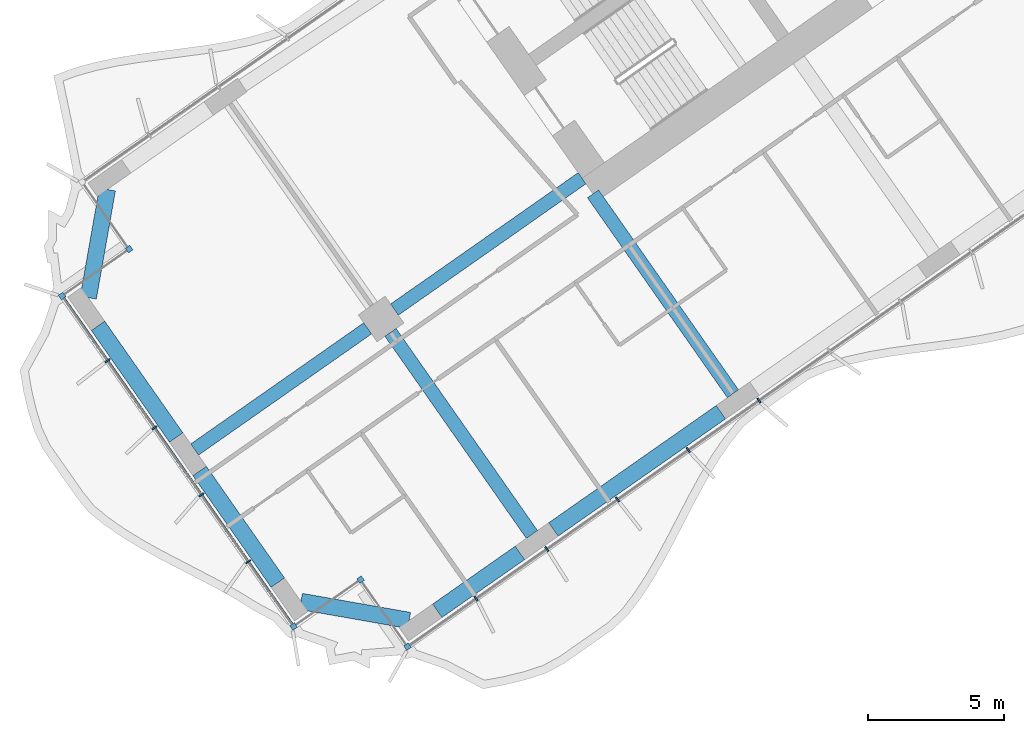
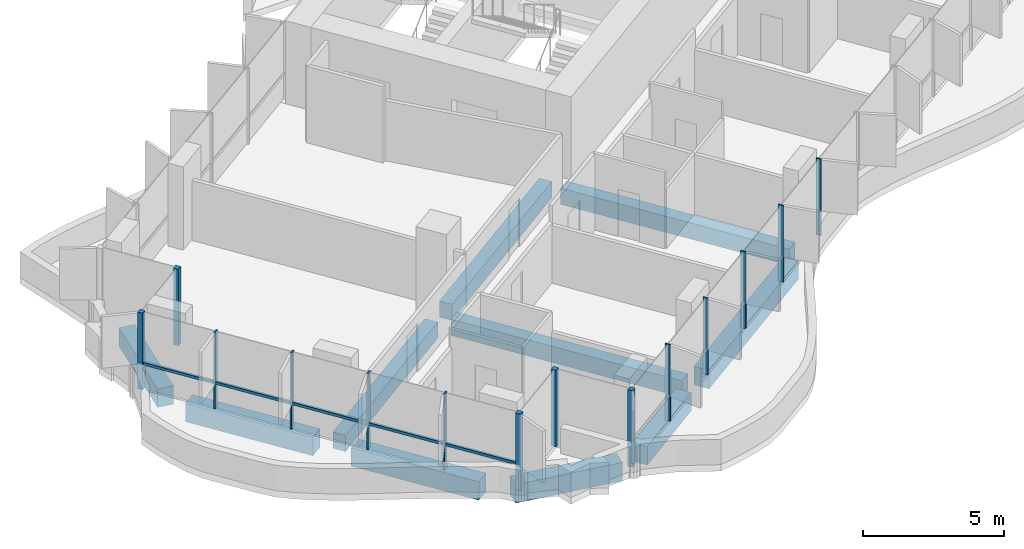
# One storey, part 2 of 23: 15 members, 10 beams, 1 element without a shape of its own.
"""IFC4 building model written with IfcOpenShell, lengths in metres."""

from ifc_helpers import new_model, si_unit, direction, frame, origin, origin_2d, place, context, subcontext, project, spatial, rectangle, extrude, material, material_profile, profile_set, type_object, element, aggregate, save


model = new_model("IFC4")

# Units and contexts
model_context = context("Model", 3, precision=1e-05, world=origin(), true_north=direction((0.0, 1.0)))
body_context = subcontext(model_context, "Body", "Model", "MODEL_VIEW")
ifc_project = project(units=[si_unit("LENGTHUNIT", "METRE"), si_unit("AREAUNIT", "SQUARE_METRE"), si_unit("VOLUMEUNIT", "CUBIC_METRE"), si_unit("PLANEANGLEUNIT", "RADIAN"), si_unit("MASSUNIT", "GRAM", prefix="KILO")], contexts=[model_context])

# Site, building, storey
site_placement = place(None, origin())
site = spatial("IfcSite", under=ifc_project, at=site_placement, CompositionType="ELEMENT")
building_placement = place(site_placement, origin())
building = spatial("IfcBuilding", under=site, at=building_placement, Name="Tel Ilan Convention Tower", CompositionType="ELEMENT")
storey_placement = place(building_placement, frame((0.0, 0.0, 119.300048828125)))
storey = spatial("IfcBuildingStorey", under=building, at=storey_placement, Name="L26", CompositionType="ELEMENT", Elevation=119.300048828125)

# Beams
ifc_material_1 = material(Name="Concrete C40/50", Category="concrete")
ifc_material_profile_1 = material_profile(ifc_material_1, rectangle(XDim=0.5, YDim=0.699951171875, at=origin_2d()), Name="RC 500x700")
ifc_profile_set_1 = profile_set([ifc_material_profile_1], Name="Concrete C40/50")
beam_type_1 = type_object("IfcBeamType", Name="Beam RC 500x700 Concrete C40/50", PredefinedType="BEAM", material=ifc_profile_set_1)
beam_1_placement = place(storey_placement, frame((-16.58203125, -23.391357421875, -0.630126953125), z_axis=(-0.573584999642, 0.819146048141, 0.0), x_axis=(-0.819146048141, -0.573584999642, 0.0)))
element("IfcBeam", 1, at=beam_1_placement, inside=storey, type_object=beam_type_1, Name="L26 beam W-W-F3-core", PredefinedType="BEAM", context=body_context, shape_type="SweptSolid", body=[
    extrude(rectangle(XDim=0.5, YDim=0.699951171875, at=origin_2d()), origin(), (0.0, 0.0, 1.0), 8.949951171875),
])
beam_2_placement = place(storey_placement, frame((-22.1171875, -15.486572265625, -0.630126953125), z_axis=(-0.819147254605, -0.573583276668, 0.0), x_axis=(0.573583276668, -0.819147254605, 0.0)))
element("IfcBeam", 2, at=beam_2_placement, inside=storey, type_object=beam_type_1, Name="L26 beam W-core-W-M4", PredefinedType="BEAM", context=body_context, shape_type="SweptSolid", body=[
    extrude(rectangle(XDim=0.5, YDim=0.699951171875, at=origin_2d()), origin(), (0.0, 0.0, 1.0), 8.400146484375),
])
beam_3_placement = place(storey_placement, frame((-29.98095703125, -20.992919921875, -0.630126953125), z_axis=(-0.819159394801, -0.573565938589, 0.0), x_axis=(0.573565938589, -0.819159394801, 0.0)))
element("IfcBeam", 3, at=beam_3_placement, inside=storey, type_object=beam_type_1, Name="L26 beam W-W-M4-end", PredefinedType="BEAM", context=body_context, shape_type="SweptSolid", body=[
    extrude(rectangle(XDim=0.5, YDim=0.699951171875, at=origin_2d()), origin(), (0.0, 0.0, 1.0), 7.75),
])
beam_4_placement = place(storey_placement, frame((-29.145263671875, -21.14013671875, -0.630126953125), z_axis=(0.573549245583, -0.819171082798, 0.0), x_axis=(0.819171082798, 0.573549245583, 0.0)))
element("IfcBeam", 4, at=beam_4_placement, inside=storey, type_object=beam_type_1, Name="L26 beam W-W-M4-W-F4", PredefinedType="BEAM", context=body_context, shape_type="SweptSolid", body=[
    extrude(rectangle(XDim=0.5, YDim=0.699951171875, at=origin_2d()), origin(), (0.0, 0.0, 1.0), 9.050048828125),
])
ifc_material_2 = material(Name="Concrete C40/50", Category="concrete")
ifc_material_profile_2 = material_profile(ifc_material_2, rectangle(XDim=0.60009765625, YDim=0.800048828125, at=origin_2d()), Name="RC 600x800")
ifc_profile_set_2 = profile_set([ifc_material_profile_2], Name="Concrete C40/50")
beam_type_2 = type_object("IfcBeamType", Name="Beam RC 600x800 Concrete C40/50", PredefinedType="BEAM", material=ifc_profile_set_2)
beam_5_placement = place(storey_placement, frame((-17.0244140625, -24.0673828125, -0.679931640625), z_axis=(-0.81915238829, -0.573575945067, 0.0), x_axis=(0.573575945067, -0.81915238829, 0.0)))
element("IfcBeam", 5, at=beam_5_placement, inside=storey, type_object=beam_type_2, Name="L26 beam W-W-F3-W-F4", PredefinedType="BEAM", context=body_context, shape_type="SweptSolid", body=[
    extrude(rectangle(XDim=0.60009765625, YDim=0.800048828125, at=origin_2d()), origin(), (0.0, 0.0, 1.0), 7.5),
])
beam_6_placement = place(storey_placement, frame((-24.396728515625, -29.2294921875, -0.679931640625), z_axis=(-0.819132709951, -0.573604047656, 0.0), x_axis=(0.573604047656, -0.819132709951, 0.0)))
element("IfcBeam", 6, at=beam_6_placement, inside=storey, type_object=beam_type_2, Name="L26 beam W-W-F4-W-FC", PredefinedType="BEAM", context=body_context, shape_type="SweptSolid", body=[
    extrude(rectangle(XDim=0.60009765625, YDim=0.800048828125, at=origin_2d()), origin(), (0.0, 0.0, 1.0), 3.699951171875),
])
beam_7_placement = place(storey_placement, frame((-28.459716796875, -31.708251953125, -0.679931640625), z_axis=(-0.984806721117, 0.173654029734, 0.0), x_axis=(-0.173654029734, -0.984806721117, 0.0)))
element("IfcBeam", 7, at=beam_7_placement, inside=storey, type_object=beam_type_2, Name="L26 beam W-W-FC-W-E1", PredefinedType="BEAM", context=body_context, shape_type="SweptSolid", body=[
    extrude(rectangle(XDim=0.60009765625, YDim=0.800048828125, at=origin_2d()), origin(), (0.0, 0.0, 1.0), 4.03076171875),
])
for number, where, z_axis, x_axis, name in (
    (8, (-33.277099609375, -30.3203125, -0.679931640625), (-0.573586866468, 0.819144740944, 0.0), (-0.819144740944, -0.573586866468, 0.0), "L26 beam W-W-E1-W-E2"),
    (9, (-37.00537109375, -24.995849609375, -0.679931640625), (-0.573586866468, 0.819144740944, 0.0), (-0.819144740944, -0.573586866468, 0.0), "L26 beam W-W-E2-W-E3"),
):
    element("IfcBeam", number, at=place(storey_placement, frame(where, z_axis=z_axis, x_axis=x_axis)), inside=storey, type_object=beam_type_2, Name=name, PredefinedType="BEAM", context=body_context, shape_type="SweptSolid", body=[
        extrude(rectangle(XDim=0.60009765625, YDim=0.800048828125, at=origin_2d()), origin(), (0.0, 0.0, 1.0), 5.0),
    ])
beam_8_placement = place(storey_placement, frame((-40.229736328125, -19.867919921875, -0.679931640625), z_axis=(0.173664388751, 0.984804894423, 0.0), x_axis=(-0.984804894423, 0.173664388751, 0.0)))
element("IfcBeam", 10, at=beam_8_placement, inside=storey, type_object=beam_type_2, Name="L26 beam W-W-E3-W-BC", PredefinedType="BEAM", context=body_context, shape_type="SweptSolid", body=[
    extrude(rectangle(XDim=0.60009765625, YDim=0.800048828125, at=origin_2d()), origin(), (0.0, 0.0, 1.0), 4.030517578125),
])

# Curtain wall, members
ifc_material_3 = material(Name="Aluminium, bronze anodised", Category="aluminium")
curtain_wall_type = type_object("IfcCurtainWallType", Name="CW1 UNITISED CURTAIN WALL, HOTEL TINTED GLASS", PredefinedType="NOTDEFINED", material=ifc_material_3)
curtain_wall_placement = place(storey_placement, origin())
curtain_wall = element("IfcCurtainWall", 11, at=curtain_wall_placement, inside=storey, type_object=curtain_wall_type, Name="Curtain wall CW1-20.02", PredefinedType="NOTDEFINED")
ifc_material_4 = material(Name="Aluminium, bronze anodised", Category="aluminium")
ifc_material_profile_3 = material_profile(ifc_material_4, rectangle(XDim=0.199951171875, YDim=0.199951171875, at=origin_2d()), Name="CW CORNER MULLION 200x200")
ifc_profile_set_3 = profile_set([ifc_material_profile_3], Name="Aluminium, bronze anodised")
member_type_1 = type_object("IfcMemberType", Name="CW CORNER MULLION 200x200", PredefinedType="MULLION", material=ifc_profile_set_3)
member_1_placement = place(storey_placement, frame((-38.730712890625, -18.0859375, 0.0), z_axis=(0.0, 0.0, 1.0), x_axis=(0.573576436351, -0.819152044289, 0.0)))
member_1 = element("IfcMember", 12, at=member_1_placement, type_object=member_type_1, Name="Corner mullion", PredefinedType="MULLION", context=body_context, shape_type="SweptSolid", body=[
    extrude(rectangle(XDim=0.199951171875, YDim=0.199951171875, at=origin_2d()), origin(), (0.0, 0.0, 1.0), 3.320068359375),
])
member_2_placement = place(storey_placement, frame((-41.188232421875, -19.806640625, 0.0), z_axis=(0.0, 0.0, 1.0), x_axis=(-0.819152044289, -0.573576436351, 0.0)))
member_2 = element("IfcMember", 13, at=member_2_placement, type_object=member_type_1, Name="Corner mullion", PredefinedType="MULLION", context=body_context, shape_type="SweptSolid", body=[
    extrude(rectangle(XDim=0.199951171875, YDim=0.199951171875, at=origin_2d()), origin(), (0.0, 0.0, 1.0), 3.320068359375),
])
member_3_placement = place(storey_placement, frame((-32.69921875, -31.929931640625, 0.0), z_axis=(0.0, 0.0, 1.0), x_axis=(0.573576436351, -0.819152044289, 0.0)))
member_3 = element("IfcMember", 14, at=member_3_placement, type_object=member_type_1, Name="Corner mullion", PredefinedType="MULLION", context=body_context, shape_type="SweptSolid", body=[
    extrude(rectangle(XDim=0.199951171875, YDim=0.199951171875, at=origin_2d()), origin(), (0.0, 0.0, 1.0), 3.320068359375),
])
member_4_placement = place(storey_placement, frame((-30.241943359375, -30.209228515625, 0.0), z_axis=(0.0, 0.0, 1.0), x_axis=(0.819152044289, 0.573576436351, 0.0)))
member_4 = element("IfcMember", 15, at=member_4_placement, type_object=member_type_1, Name="Corner mullion", PredefinedType="MULLION", context=body_context, shape_type="SweptSolid", body=[
    extrude(rectangle(XDim=0.199951171875, YDim=0.199951171875, at=origin_2d()), origin(), (0.0, 0.0, 1.0), 3.320068359375),
])
member_5_placement = place(storey_placement, frame((-28.52099609375, -32.666748046875, 0.0), z_axis=(0.0, 0.0, 1.0), x_axis=(0.573576436351, -0.819152044289, 0.0)))
member_5 = element("IfcMember", 16, at=member_5_placement, type_object=member_type_1, Name="Corner mullion", PredefinedType="MULLION", context=body_context, shape_type="SweptSolid", body=[
    extrude(rectangle(XDim=0.199951171875, YDim=0.199951171875, at=origin_2d()), origin(), (0.0, 0.0, 1.0), 3.320068359375),
])
ifc_material_5 = material(Name="Aluminium, bronze anodised", Category="aluminium")
ifc_material_profile_4 = material_profile(ifc_material_5, rectangle(XDim=0.06005859375, YDim=0.199951171875, at=origin_2d()), Name="CW MULLION 60x200")
ifc_profile_set_4 = profile_set([ifc_material_profile_4], Name="Aluminium, bronze anodised")
member_type_2 = type_object("IfcMemberType", Name="CW MULLION 60x200", PredefinedType="MULLION", material=ifc_profile_set_4)
member_6_placement = place(storey_placement, frame((-39.52490234375, -22.18212890625, 0.0), z_axis=(0.0, 0.0, 1.0), x_axis=(0.573576436351, -0.819152044289, 0.0)))
member_6 = element("IfcMember", 17, at=member_6_placement, type_object=member_type_2, Name="Mullion", PredefinedType="MULLION", context=body_context, shape_type="SweptSolid", body=[
    extrude(rectangle(XDim=0.06005859375, YDim=0.199951171875, at=origin_2d()), origin(), (0.0, 0.0, 1.0), 3.320068359375),
])
member_7_placement = place(storey_placement, frame((-37.80419921875, -24.6396484375, 0.0), z_axis=(0.0, 0.0, 1.0), x_axis=(0.573576436351, -0.819152044289, 0.0)))
member_7 = element("IfcMember", 18, at=member_7_placement, type_object=member_type_2, Name="Mullion", PredefinedType="MULLION", context=body_context, shape_type="SweptSolid", body=[
    extrude(rectangle(XDim=0.06005859375, YDim=0.199951171875, at=origin_2d()), origin(), (0.0, 0.0, 1.0), 3.320068359375),
])
member_8_placement = place(storey_placement, frame((-36.08349609375, -27.096923828125, 0.0), z_axis=(0.0, 0.0, 1.0), x_axis=(0.573576436351, -0.819152044289, 0.0)))
member_8 = element("IfcMember", 19, at=member_8_placement, type_object=member_type_2, Name="Mullion", PredefinedType="MULLION", context=body_context, shape_type="SweptSolid", body=[
    extrude(rectangle(XDim=0.06005859375, YDim=0.199951171875, at=origin_2d()), origin(), (0.0, 0.0, 1.0), 3.320068359375),
])
member_9_placement = place(storey_placement, frame((-34.362548828125, -29.554443359375, 0.0), z_axis=(0.0, 0.0, 1.0), x_axis=(0.573576436351, -0.819152044289, 0.0)))
member_9 = element("IfcMember", 20, at=member_9_placement, type_object=member_type_2, Name="Mullion", PredefinedType="MULLION", context=body_context, shape_type="SweptSolid", body=[
    extrude(rectangle(XDim=0.06005859375, YDim=0.199951171875, at=origin_2d()), origin(), (0.0, 0.0, 1.0), 3.320068359375),
])
member_10_placement = place(storey_placement, frame((-26.008056640625, -30.906982421875, 0.0), z_axis=(0.0, 0.0, 1.0), x_axis=(0.819152044289, 0.573576436351, 0.0)))
member_10 = element("IfcMember", 21, at=member_10_placement, type_object=member_type_2, Name="Mullion", PredefinedType="MULLION", context=body_context, shape_type="SweptSolid", body=[
    extrude(rectangle(XDim=0.06005859375, YDim=0.199951171875, at=origin_2d()), origin(), (0.0, 0.0, 1.0), 3.320068359375),
])
member_11_placement = place(storey_placement, frame((-23.412841796875, -29.08984375, 0.0), z_axis=(0.0, 0.0, 1.0), x_axis=(0.819152044289, 0.573576436351, 0.0)))
member_11 = element("IfcMember", 22, at=member_11_placement, type_object=member_type_2, Name="Mullion", PredefinedType="MULLION", context=body_context, shape_type="SweptSolid", body=[
    extrude(rectangle(XDim=0.06005859375, YDim=0.199951171875, at=origin_2d()), origin(), (0.0, 0.0, 1.0), 3.320068359375),
])
member_12_placement = place(storey_placement, frame((-20.81787109375, -27.27294921875, 0.0), z_axis=(0.0, 0.0, 1.0), x_axis=(0.819152044289, 0.573576436351, 0.0)))
member_12 = element("IfcMember", 23, at=member_12_placement, type_object=member_type_2, Name="Mullion", PredefinedType="MULLION", context=body_context, shape_type="SweptSolid", body=[
    extrude(rectangle(XDim=0.06005859375, YDim=0.199951171875, at=origin_2d()), origin(), (0.0, 0.0, 1.0), 3.320068359375),
])
member_13_placement = place(storey_placement, frame((-18.222900390625, -25.455810546875, 0.0), z_axis=(0.0, 0.0, 1.0), x_axis=(0.819152044289, 0.573576436351, 0.0)))
member_13 = element("IfcMember", 24, at=member_13_placement, type_object=member_type_2, Name="Mullion", PredefinedType="MULLION", context=body_context, shape_type="SweptSolid", body=[
    extrude(rectangle(XDim=0.06005859375, YDim=0.199951171875, at=origin_2d()), origin(), (0.0, 0.0, 1.0), 3.320068359375),
])
member_14_placement = place(storey_placement, frame((-15.627685546875, -23.638671875, 0.0), z_axis=(0.0, 0.0, 1.0), x_axis=(0.819152044289, 0.573576436351, 0.0)))
member_14 = element("IfcMember", 25, at=member_14_placement, type_object=member_type_2, Name="Mullion", PredefinedType="MULLION", context=body_context, shape_type="SweptSolid", body=[
    extrude(rectangle(XDim=0.06005859375, YDim=0.199951171875, at=origin_2d()), origin(), (0.0, 0.0, 1.0), 3.320068359375),
])
ifc_material_6 = material(Name="Aluminium, bronze anodised", Category="aluminium")
ifc_material_profile_5 = material_profile(ifc_material_6, rectangle(XDim=0.10009765625, YDim=0.1201171875, at=origin_2d()), Name="CW TRANSOM 100x120")
ifc_profile_set_5 = profile_set([ifc_material_profile_5], Name="Aluminium, bronze anodised")
member_type_3 = type_object("IfcMemberType", Name="CW TRANSOM 100x120", PredefinedType="USERDEFINED", material=ifc_profile_set_5)
member_15_placement = place(storey_placement, frame((-41.130859375, -19.888427734375, 1.099853515625), z_axis=(0.573575688231, -0.819152568128, 0.0), x_axis=(0.819152568128, 0.573575688231, 0.0)))
member_15 = element("IfcMember", 26, at=member_15_placement, type_object=member_type_3, Name="Transom", ObjectType="TRANSOM", PredefinedType="USERDEFINED", context=body_context, shape_type="SweptSolid", body=[
    extrude(rectangle(XDim=0.10009765625, YDim=0.1201171875, at=origin_2d()), origin(), (0.0, 0.0, 1.0), 14.60009765625),
])
aggregate(curtain_wall, [member_1, member_2, member_6, member_7, member_8, member_9, member_3, member_15, member_4, member_5, member_10, member_11, member_12, member_13, member_14])

save(model, "model.ifc")
